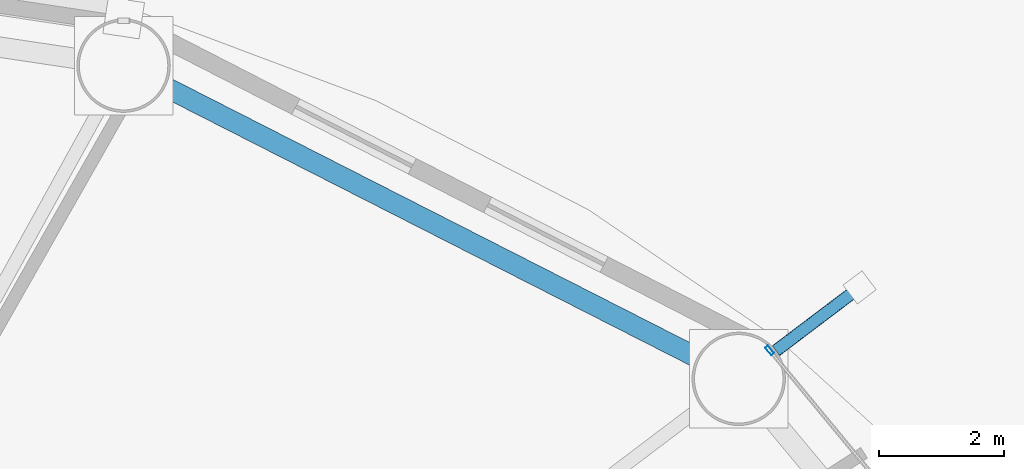
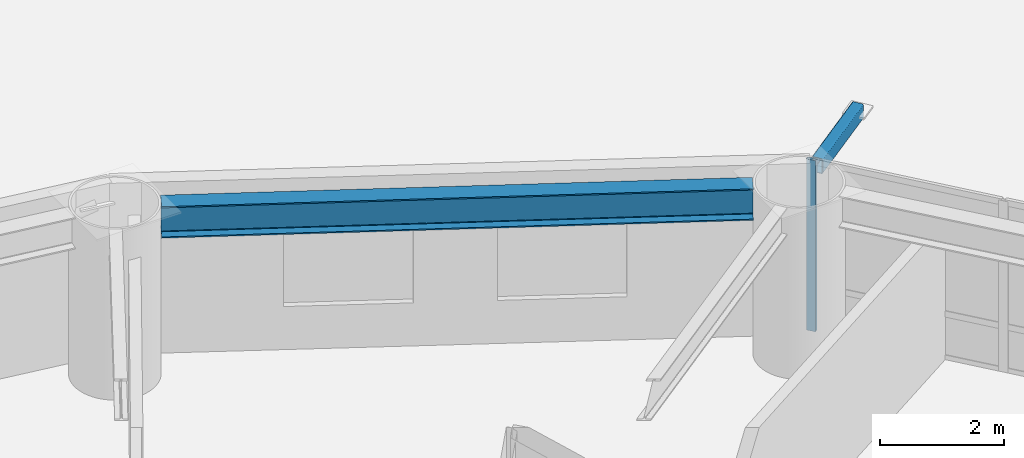
# One storey, part 12 of 30: 2 members, 1 beam, 1 element without a shape of its own.
"""IFC4 building model written with IfcOpenShell, lengths in metres."""

import ifcopenshell
import ifcopenshell.guid

model = None  # the IFC model being written
_history = None  # IfcOwnerHistory: only IFC2X3 demands one
_inside = {}  # id of a spatial element -> (the spatial element, [elements in it])
_under = {}  # id of a project, library or spatial element -> (it, [spatial elements below it])
_declared = {}  # id of a project -> (the project, [libraries it declares])
_typed = {}  # id of a type object -> (the type object, [elements of that type])
_made_of = {}  # id of a material, layer set ... -> (it, [elements and type objects made of it])


def new_model(schema):
    """Start an empty IFC model of exactly this schema.

    Asked for "IFC4X3", IfcOpenShell would pick the latest addendum, in which some entities
    have other attributes; the version numbers below select the first issue.
    IFC2X3 requires an IfcOwnerHistory on every rooted entity: one is made here for all.
    """
    global model, _history
    if schema == "IFC4X3":
        model = ifcopenshell.file(schema_version=(4, 3, 0, 0))
    else:
        model = ifcopenshell.file(schema=schema)
    _inside.clear()
    _under.clear()
    _declared.clear()
    _typed.clear()
    _made_of.clear()
    _history = None
    if model.schema == "IFC2X3":
        org = make("IfcOrganization", Name="unknown")
        user = make(
            "IfcPersonAndOrganization",
            ThePerson=make("IfcPerson", FamilyName="unknown"),
            TheOrganization=org,
        )
        app = make(
            "IfcApplication",
            ApplicationDeveloper=org,
            Version="unknown",
            ApplicationFullName="unknown",
            ApplicationIdentifier="unknown",
        )
        _history = make(
            "IfcOwnerHistory",
            OwningUser=user,
            OwningApplication=app,
            ChangeAction="ADDED",
            CreationDate=0,
        )
    return model


def make(cls, **values):
    """One entity of the class cls with the attributes given. An attribute that is None is left unset."""
    return model.create_entity(
        cls, **{name: value for name, value in values.items() if value is not None}
    )


def rooted(cls, **values):
    """An entity with a GlobalId (a new one), such as an element, a storey or a relation."""
    return make(cls, GlobalId=ifcopenshell.guid.new(), OwnerHistory=_history, **values)


def si_unit(unit_type, name, prefix=None):
    """IfcSIUnit, for example si_unit("LENGTHUNIT", "METRE", prefix="MILLI")."""
    return make("IfcSIUnit", UnitType=unit_type, Prefix=prefix, Name=name)


def assignment(units):
    """IfcUnitAssignment: the units of a project."""
    return None if units is None else make("IfcUnitAssignment", Units=units)


def point(xyz):
    """IfcCartesianPoint."""
    return None if xyz is None else make("IfcCartesianPoint", Coordinates=xyz)


def direction(xyz):
    """IfcDirection."""
    return None if xyz is None else make("IfcDirection", DirectionRatios=xyz)


def frame(location, z_axis=None, x_axis=None):
    """IfcAxis2Placement3D, a coordinate frame: its origin and axes. An axis left out is left unset."""
    return make(
        "IfcAxis2Placement3D",
        Location=point(location),
        Axis=direction(z_axis),
        RefDirection=direction(x_axis),
    )


def frame_2d(location, x_axis=None):
    """IfcAxis2Placement2D, a coordinate frame in the plane: its origin and x axis."""
    return make(
        "IfcAxis2Placement2D", Location=point(location), RefDirection=direction(x_axis)
    )


def origin():
    """The frame at (0, 0, 0) with its axes left unset."""
    return frame((0.0, 0.0, 0.0))


def origin_2d():
    """The frame at (0, 0) in the plane with its x axis left unset."""
    return frame_2d((0.0, 0.0))


def place(relative_to, where):
    """IfcLocalPlacement: puts the frame where relative to a parent placement (None: the world)."""
    return make(
        "IfcLocalPlacement", PlacementRelTo=relative_to, RelativePlacement=where
    )


def context(
    kind, dimensions, precision=None, world=None, true_north=None, identifier=None
):
    """IfcGeometricRepresentationContext, for example the 3D "Model" context."""
    return make(
        "IfcGeometricRepresentationContext",
        ContextIdentifier=identifier,
        ContextType=kind,
        CoordinateSpaceDimension=dimensions,
        Precision=precision,
        WorldCoordinateSystem=world,
        TrueNorth=true_north,
    )


def subcontext(parent, identifier, kind, view, scale=None):
    """IfcGeometricRepresentationSubContext, for example "Body" below "Model"."""
    return make(
        "IfcGeometricRepresentationSubContext",
        ContextIdentifier=identifier,
        ContextType=kind,
        ParentContext=parent,
        TargetScale=scale,
        TargetView=view,
    )


def project(units=None, contexts=None):
    """IfcProject with its units and contexts."""
    return rooted(
        "IfcProject",
        Name="project",
        RepresentationContexts=contexts,
        UnitsInContext=assignment(units),
    )


def spatial(cls, under=None, at=None, **own):
    """A site, building, storey or space (cls), placed at a placement, below another one or the project."""
    s = rooted(cls, ObjectPlacement=at, **own)
    if under is not None:
        _under.setdefault(under.id(), (under, []))[1].append(s)
    return s


def profile(cls, at=None, kind="AREA", **sizes):
    """A parametric profile (cls). Its sizes go by their IFC names, for example OverallWidth=200.0."""
    return make(cls, ProfileType=kind, Position=at, **sizes)


def hollow_rectangle(**sizes):
    """IfcRectangleHollowProfileDef."""
    return profile("IfcRectangleHollowProfileDef", **sizes)


def i_section(**sizes):
    """IfcIShapeProfileDef."""
    return profile("IfcIShapeProfileDef", **sizes)


def extrude(swept, where, along, depth):
    """IfcExtrudedAreaSolid: the profile swept, set in the frame where, extruded along a direction by depth."""
    return make(
        "IfcExtrudedAreaSolid",
        SweptArea=swept,
        Position=where,
        ExtrudedDirection=direction(along),
        Depth=depth,
    )


def shape(context_of_items, identifier, shape_type, items):
    """IfcShapeRepresentation: the items that make up one representation, for example the "Body"."""
    return make(
        "IfcShapeRepresentation",
        ContextOfItems=context_of_items,
        RepresentationIdentifier=identifier,
        RepresentationType=shape_type,
        Items=items,
    )


def material(Name=None, Category=None):
    """IfcMaterial."""
    return make("IfcMaterial", Name=Name, Category=Category)


def layer(
    of_material, thickness, ventilated=None, Name=None, Category=None, Priority=None
):
    """IfcMaterialLayer: one layer of a wall or slab, of a material (None: an air gap)."""
    return make(
        "IfcMaterialLayer",
        Material=of_material,
        LayerThickness=thickness,
        IsVentilated=ventilated,
        Name=Name,
        Category=Category,
        Priority=Priority,
    )


def layer_set(layers, Name=None):
    """IfcMaterialLayerSet."""
    return make("IfcMaterialLayerSet", MaterialLayers=layers, LayerSetName=Name)


def material_profile(
    of_material, cross_section, Name=None, Category=None, Priority=None
):
    """IfcMaterialProfile: a cross section and its material."""
    return make(
        "IfcMaterialProfile",
        Name=Name,
        Material=of_material,
        Profile=cross_section,
        Priority=Priority,
        Category=Category,
    )


def profile_set(profiles, Name=None, composite=None):
    """IfcMaterialProfileSet."""
    return make(
        "IfcMaterialProfileSet",
        Name=Name,
        MaterialProfiles=profiles,
        CompositeProfile=composite,
    )


def made_of(thing, what):
    """Note that an element or type object is made of a material, layer set ...; save() writes the relation."""
    if what is not None:
        _made_of.setdefault(what.id(), (what, []))[1].append(thing)
    return thing


def type_object(cls, material=None, **own):
    """A type object (cls), such as IfcWallType, which elements share."""
    return made_of(rooted(cls, **own), material)


def element(
    cls,
    number,
    at=None,
    inside=None,
    cuts=None,
    type_object=None,
    material=None,
    context=None,
    identifier="Body",
    shape_type=None,
    held_by="IfcProductDefinitionShape",
    body=None,
    shapes=None,
    **own,
):
    """One element of the class cls, such as IfcWall. Its Tag is "e" and its number.

    at: its placement. inside: the storey or other place that contains it. cuts: it is an
    opening in that element (IfcRelVoidsElement). A single representation is given by context,
    identifier, shape_type and body (its items); several are given by shapes. held_by: the class
    of the entity that holds the representations. save() writes the other relations.
    """
    e = rooted(cls, Tag="e%d" % number, ObjectPlacement=at, **own)
    if body is not None:
        shapes = [shape(context, identifier, shape_type, body)]
    if shapes is not None:
        e.Representation = make(held_by, Representations=shapes)
    if inside is not None:
        _inside.setdefault(inside.id(), (inside, []))[1].append(e)
    if cuts is not None:
        rooted(
            "IfcRelVoidsElement", RelatingBuildingElement=cuts, RelatedOpeningElement=e
        )
    if type_object is not None:
        _typed.setdefault(type_object.id(), (type_object, []))[1].append(e)
    return made_of(e, material)


def aggregate(whole, parts):
    """IfcRelAggregates: a whole, such as a stair, and the parts it consists of."""
    return rooted("IfcRelAggregates", RelatingObject=whole, RelatedObjects=parts)


def save(model, path):
    """Write the relations noted so far, then the file.

    IfcRelAggregates (storeys below a building ...), IfcRelContainedInSpatialStructure (elements
    in a storey), IfcRelDefinesByType, IfcRelAssociatesMaterial and IfcRelDeclares: one each for
    every whole, place, type object, material and project.
    """
    for whole, parts in _under.values():
        aggregate(whole, parts)
    for where, things in _inside.values():
        rooted(
            "IfcRelContainedInSpatialStructure",
            RelatedElements=things,
            RelatingStructure=where,
        )
    for kind, things in _typed.values():
        rooted("IfcRelDefinesByType", RelatedObjects=things, RelatingType=kind)
    for what, things in _made_of.values():
        rooted("IfcRelAssociatesMaterial", RelatedObjects=things, RelatingMaterial=what)
    for by, libraries in _declared.values():
        rooted("IfcRelDeclares", RelatingContext=by, RelatedDefinitions=libraries)
    model.write(path)


model = new_model("IFC4")

# Units and contexts
model_context = context("Model", 3, precision=1e-05, world=origin(), true_north=direction((0.0, 1.0)))
body_context = subcontext(model_context, "Body", "Model", "MODEL_VIEW")
ifc_project = project(units=[si_unit("LENGTHUNIT", "METRE"), si_unit("AREAUNIT", "SQUARE_METRE"), si_unit("VOLUMEUNIT", "CUBIC_METRE"), si_unit("PLANEANGLEUNIT", "RADIAN"), si_unit("MASSUNIT", "GRAM", prefix="KILO")], contexts=[model_context])

# Site, building, storey
site_placement = place(None, origin())
site = spatial("IfcSite", under=ifc_project, at=site_placement, CompositionType="ELEMENT")
building_placement = place(site_placement, origin())
building = spatial("IfcBuilding", under=site, at=building_placement, Name="Sarneth Arch Tower", CompositionType="ELEMENT")
storey_placement = place(building_placement, frame((0.0, 0.0, 28.199951171875)))
storey = spatial("IfcBuildingStorey", under=building, at=storey_placement, Name="L05", CompositionType="ELEMENT", Elevation=28.199951171875)

# Beam
ifc_material_1 = material(Name="Steel S355", Category="steel")
ifc_material_profile_1 = material_profile(ifc_material_1, i_section(OverallWidth=0.326904296875, OverallDepth=0.6220703125, WebThickness=0.015380859375, FlangeThickness=0.0244140625, FilletRadius=0.01904296875, at=origin_2d()), Name="W610x195")
ifc_profile_set_1 = profile_set([ifc_material_profile_1], Name="Steel S355")
beam_type = type_object("IfcBeamType", Name="BM-SPAN-610A", PredefinedType="SPANDREL", material=ifc_profile_set_1)
beam_placement = place(storey_placement, frame((69.0283203125, 58.7451171875, 3.069091796875), z_axis=(-0.891169106887, 0.453671271882, 0.0), x_axis=(-0.453671271882, -0.891169106887, 0.0)))
element("IfcBeam", 1, at=beam_placement, inside=storey, type_object=beam_type, Name="L05 Perimeter spandrel beam 03", PredefinedType="SPANDREL", context=body_context, shape_type="SweptSolid", body=[
    extrude(i_section(OverallWidth=0.326904296875, OverallDepth=0.6220703125, WebThickness=0.015380859375, FlangeThickness=0.0244140625, FilletRadius=0.01904296875, at=origin_2d()), origin(), (0.0, 0.0, 1.0), 9.58544921875),
])

# Curtain wall, member
ifc_material_2 = material(Name="Anodised aluminium Type AA25 and solar-control low-e laminated IGU", Category="aluminium")
ifc_layer = layer(ifc_material_2, 0.159912109375)
ifc_layer_set = layer_set([ifc_layer], Name="Anodised aluminium Type AA25 and solar-control low-e laminated IGU")
curtain_wall_type = type_object("IfcCurtainWallType", Name="CW-HOTEL-LOW", PredefinedType="NOTDEFINED", material=ifc_layer_set)
curtain_wall_placement = place(storey_placement, origin())
curtain_wall = element("IfcCurtainWall", 2, at=curtain_wall_placement, inside=storey, type_object=curtain_wall_type, Name="L05 Unitised curtain wall facet 02", PredefinedType="NOTDEFINED")
ifc_material_3 = material(Name="Anodised Aluminium 6063-T6", Category="aluminium")
ifc_material_profile_2 = material_profile(ifc_material_3, hollow_rectangle(XDim=0.06005859375, YDim=0.159912109375, WallThickness=0.00390625, at=origin_2d()), Name="AL-MULL-160x60x4")
ifc_profile_set_2 = profile_set([ifc_material_profile_2], Name="Anodised Aluminium 6063-T6")
member_type_1 = type_object("IfcMemberType", Name="CW-MULLION", PredefinedType="MULLION", material=ifc_profile_set_2)
member_1_placement = place(storey_placement, frame((70.193359375, 58.862548828125, 0.0), z_axis=(0.0, 0.0, 1.0), x_axis=(-0.770622960278, -0.637291340827, 0.0)))
member_1 = element("IfcMember", 3, at=member_1_placement, type_object=member_type_1, Name="CW-SYS-3 mullion 4", PredefinedType="MULLION", context=body_context, shape_type="SweptSolid", body=[
    extrude(hollow_rectangle(XDim=0.06005859375, YDim=0.159912109375, WallThickness=0.00390625, at=origin_2d()), origin(), (0.0, 0.0, 1.0), 3.380126953125),
])
aggregate(curtain_wall, [member_1])

# Member
ifc_material_4 = material(Name="Steel S355", Category="steel")
ifc_material_profile_3 = material_profile(ifc_material_4, hollow_rectangle(XDim=0.199951171875, YDim=0.300048828125, WallThickness=0.012451171875, InnerFilletRadius=0.018798828125, OuterFilletRadius=0.03125, at=origin_2d()), Name="RHS300x200x12.5")
ifc_profile_set_3 = profile_set([ifc_material_profile_3], Name="Steel S355")
member_type_2 = type_object("IfcMemberType", Name="MEM-CANT-STRUT", PredefinedType="STRUT", material=ifc_profile_set_3)
member_2_placement = place(storey_placement, frame((70.294921875, 58.857177734375, 3.219970703125), z_axis=(0.797628723045, 0.603148754599, 0.0), x_axis=(-0.603148754599, 0.797628723045, 0.0)))
element("IfcMember", 4, at=member_2_placement, inside=storey, type_object=member_type_2, Name="L05 Balcony cantilever bracket 03", PredefinedType="STRUT", context=body_context, shape_type="SweptSolid", body=[
    extrude(hollow_rectangle(XDim=0.199951171875, YDim=0.300048828125, WallThickness=0.012451171875, InnerFilletRadius=0.018798828125, OuterFilletRadius=0.03125, at=origin_2d()), origin(), (0.0, 0.0, 1.0), 1.6845703125),
])

save(model, "model.ifc")
